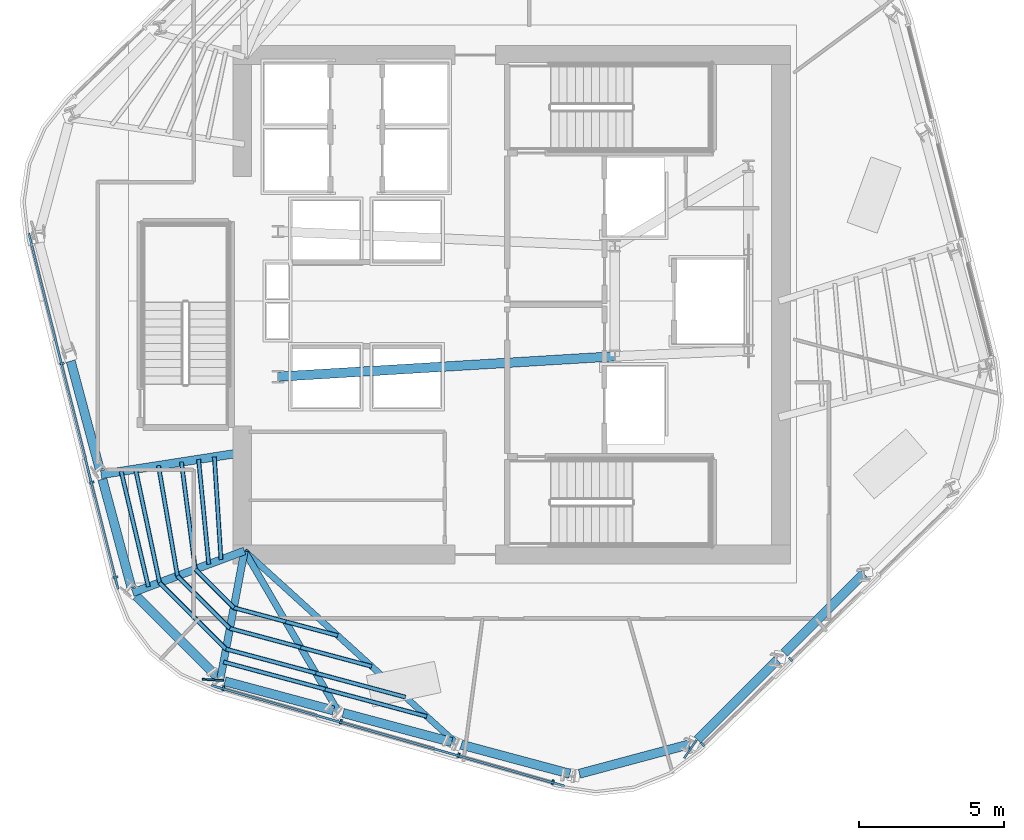
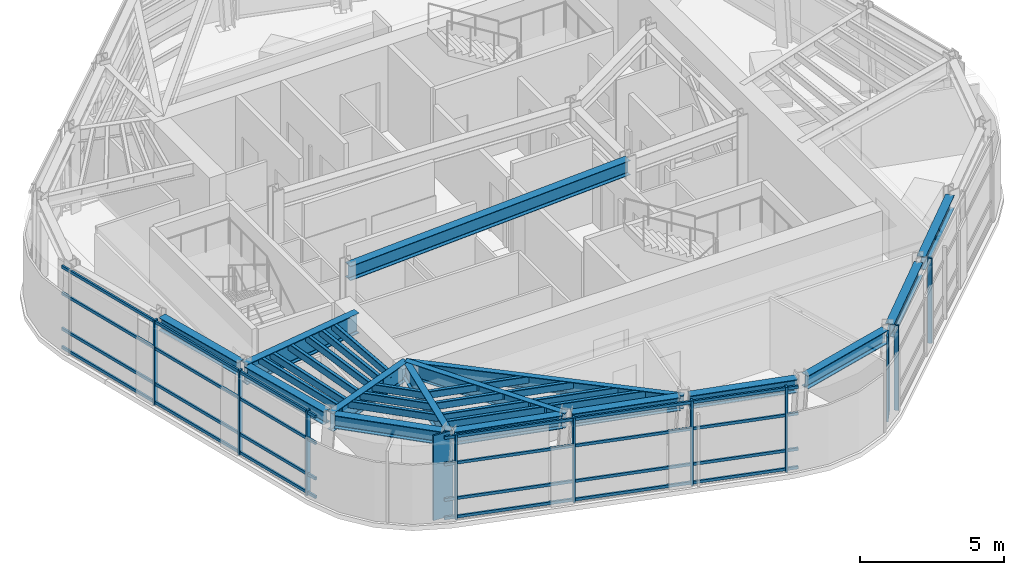
# One storey, part 2 of 14: 36 members, 15 beams, 3 elements without a shape of their own.
"""IFC4 building model written with IfcOpenShell, lengths in metres."""

from ifc_helpers import new_model, si_unit, direction, frame, origin, origin_2d, place, context, subcontext, project, spatial, rectangle, hollow_rectangle, i_section, extrude, material, layer, layer_set, material_profile, profile_set, type_object, element, aggregate, save


model = new_model("IFC4")

# Units and contexts
model_context = context("Model", 3, precision=1e-05, world=origin(), true_north=direction((0.0, 1.0)))
body_context = subcontext(model_context, "Body", "Model", "MODEL_VIEW")
ifc_project = project(units=[si_unit("LENGTHUNIT", "METRE"), si_unit("AREAUNIT", "SQUARE_METRE"), si_unit("VOLUMEUNIT", "CUBIC_METRE"), si_unit("PLANEANGLEUNIT", "RADIAN"), si_unit("MASSUNIT", "GRAM", prefix="KILO")], contexts=[model_context])

# Site, building, storey
site_placement = place(None, origin())
site = spatial("IfcSite", under=ifc_project, at=site_placement, CompositionType="ELEMENT")
building_placement = place(site_placement, origin())
building = spatial("IfcBuilding", under=site, at=building_placement, Name="Valkerne Bourse Tower", CompositionType="ELEMENT")
storey_placement = place(building_placement, frame((0.0, 0.0, 213.199951171875)))
storey = spatial("IfcBuildingStorey", under=building, at=storey_placement, Name="L54", CompositionType="ELEMENT", Elevation=213.199951171875)

# Beams
ifc_material_1 = material(Name="Steel ASTM A992", Category="steel")
ifc_material_profile_1 = material_profile(ifc_material_1, i_section(OverallWidth=0.31494140625, OverallDepth=0.5537109375, WebThickness=0.0166015625, FlangeThickness=0.026123046875, FilletRadius=0.020263671875, at=origin_2d()), Name="W21X132")
ifc_profile_set_1 = profile_set([ifc_material_profile_1], Name="Steel ASTM A992")
beam_type_1 = type_object("IfcBeamType", Name="BM-W21X132", PredefinedType="BEAM", material=ifc_profile_set_1)
beam_1_placement = place(storey_placement, frame((31.6181640625, 24.936279296875, 3.3232421875), z_axis=(0.258777058442, -0.965937075603, 0.0), x_axis=(0.965937075603, 0.258777058442, 0.0)))
element("IfcBeam", 1, at=beam_1_placement, inside=storey, type_object=beam_type_1, Name="L54 Hexagonal Spandrel Ring Beam 09", PredefinedType="BEAM", context=body_context, shape_type="SweptSolid", body=[
    extrude(i_section(OverallWidth=0.31494140625, OverallDepth=0.5537109375, WebThickness=0.0166015625, FlangeThickness=0.026123046875, FilletRadius=0.020263671875, at=origin_2d()), origin(), (0.0, 0.0, 1.0), 3.871826171875),
])
beam_2_placement = place(storey_placement, frame((32.708251953125, 20.867919921875, 3.3232421875), z_axis=(0.258820125859, -0.965925536701, 0.0), x_axis=(0.965925536701, 0.258820125859, 0.0)))
element("IfcBeam", 2, at=beam_2_placement, inside=storey, type_object=beam_type_1, Name="L54 Hexagonal Spandrel Ring Beam 10", PredefinedType="BEAM", context=body_context, shape_type="SweptSolid", body=[
    extrude(i_section(OverallWidth=0.31494140625, OverallDepth=0.5537109375, WebThickness=0.0166015625, FlangeThickness=0.026123046875, FilletRadius=0.020263671875, at=origin_2d()), origin(), (0.0, 0.0, 1.0), 3.8720703125),
])
beam_3_placement = place(storey_placement, frame((33.87451171875, 16.843505859375, 3.3232421875), z_axis=(0.707106781187, -0.707106781187, 0.0), x_axis=(0.707106781187, 0.707106781187, 0.0)))
element("IfcBeam", 3, at=beam_3_placement, inside=storey, type_object=beam_type_1, Name="L54 Hexagonal Spandrel Ring Beam 11", PredefinedType="BEAM", context=body_context, shape_type="SweptSolid", body=[
    extrude(i_section(OverallWidth=0.31494140625, OverallDepth=0.5537109375, WebThickness=0.0166015625, FlangeThickness=0.026123046875, FilletRadius=0.020263671875, at=origin_2d()), origin(), (0.0, 0.0, 1.0), 3.915771484375),
])
beam_4_placement = place(storey_placement, frame((36.927734375, 13.910400390625, 3.3232421875), z_axis=(0.965921312732, -0.258835889338, 0.0), x_axis=(0.258835889338, 0.965921312732, 0.0)))
element("IfcBeam", 4, at=beam_4_placement, inside=storey, type_object=beam_type_1, Name="L54 Hexagonal Spandrel Ring Beam 12", PredefinedType="BEAM", context=body_context, shape_type="SweptSolid", body=[
    extrude(i_section(OverallWidth=0.31494140625, OverallDepth=0.5537109375, WebThickness=0.0166015625, FlangeThickness=0.026123046875, FilletRadius=0.020263671875, at=origin_2d()), origin(), (0.0, 0.0, 1.0), 3.871826171875),
])
beam_5_placement = place(storey_placement, frame((40.99609375, 12.8203125, 3.3232421875), z_axis=(0.965925536701, -0.258820125859, 0.0), x_axis=(0.258820125859, 0.965925536701, 0.0)))
element("IfcBeam", 5, at=beam_5_placement, inside=storey, type_object=beam_type_1, Name="L54 Hexagonal Spandrel Ring Beam 13", PredefinedType="BEAM", context=body_context, shape_type="SweptSolid", body=[
    extrude(i_section(OverallWidth=0.31494140625, OverallDepth=0.5537109375, WebThickness=0.0166015625, FlangeThickness=0.026123046875, FilletRadius=0.020263671875, at=origin_2d()), origin(), (0.0, 0.0, 1.0), 3.8720703125),
])
beam_6_placement = place(storey_placement, frame((45.064697265625, 11.72998046875, 3.3232421875), z_axis=(0.965921312732, -0.258835889338, 0.0), x_axis=(0.258835889338, 0.965921312732, 0.0)))
element("IfcBeam", 6, at=beam_6_placement, inside=storey, type_object=beam_type_1, Name="L54 Hexagonal Spandrel Ring Beam 14", PredefinedType="BEAM", context=body_context, shape_type="SweptSolid", body=[
    extrude(i_section(OverallWidth=0.31494140625, OverallDepth=0.5537109375, WebThickness=0.0166015625, FlangeThickness=0.026123046875, FilletRadius=0.020263671875, at=origin_2d()), origin(), (0.0, 0.0, 1.0), 3.871826171875),
])
beam_7_placement = place(storey_placement, frame((49.13330078125, 10.727783203125, 3.3232421875), z_axis=(0.965907132584, 0.258888800884, 0.0), x_axis=(-0.258888800884, 0.965907132584, 0.0)))
element("IfcBeam", 7, at=beam_7_placement, inside=storey, type_object=beam_type_1, Name="L54 Hexagonal Spandrel Ring Beam 15", PredefinedType="BEAM", context=body_context, shape_type="SweptSolid", body=[
    extrude(i_section(OverallWidth=0.31494140625, OverallDepth=0.5537109375, WebThickness=0.0166015625, FlangeThickness=0.026123046875, FilletRadius=0.020263671875, at=origin_2d()), origin(), (0.0, 0.0, 1.0), 3.91552734375),
])
for number, where, z_axis, x_axis, name in (
    (8, (53.19970703125, 11.905517578125, 3.3232421875), (0.707106781187, 0.707106781187, 0.0), (-0.707106781187, 0.707106781187, 0.0), "L54 Hexagonal Spandrel Ring Beam 16"),
    (9, (56.17822265625, 14.8837890625, 3.3232421875), (0.707075254032, 0.707138306935, 0.0), (-0.707138306935, 0.707075254032, 0.0), "L54 Hexagonal Spandrel Ring Beam 17"),
):
    element("IfcBeam", number, at=place(storey_placement, frame(where, z_axis=z_axis, x_axis=x_axis)), inside=storey, type_object=beam_type_1, Name=name, PredefinedType="BEAM", context=body_context, shape_type="SweptSolid", body=[
        extrude(i_section(OverallWidth=0.31494140625, OverallDepth=0.5537109375, WebThickness=0.0166015625, FlangeThickness=0.026123046875, FilletRadius=0.020263671875, at=origin_2d()), origin(), (0.0, 0.0, 1.0), 3.8720703125),
    ])
ifc_material_profile_2 = material_profile(ifc_material_1, i_section(OverallWidth=0.2138671875, OverallDepth=0.548583984375, WebThickness=0.0146484375, FlangeThickness=0.023681640625, FilletRadius=0.017822265625, at=origin_2d()), Name="W21X93")
ifc_profile_set_2 = profile_set([ifc_material_profile_2], Name="Steel ASTM A992")
beam_type_2 = type_object("IfcBeamType", Name="BM-W21X93", PredefinedType="BEAM", material=ifc_profile_set_2)
beam_8_placement = place(storey_placement, frame((44.900390625, 11.774169921875, 3.32568359375), z_axis=(-0.740490010186, 0.672067366278, 0.0), x_axis=(-0.672067366278, -0.740490010186, 0.0)))
element("IfcBeam", 10, at=beam_8_placement, inside=storey, type_object=beam_type_2, Name="L54 Radial Composite Floor Beam 14", PredefinedType="BEAM", context=body_context, shape_type="SweptSolid", body=[
    extrude(i_section(OverallWidth=0.2138671875, OverallDepth=0.548583984375, WebThickness=0.0146484375, FlangeThickness=0.023681640625, FilletRadius=0.017822265625, at=origin_2d()), origin(), (0.0, 0.0, 1.0), 9.858642578125),
])
ifc_material_profile_3 = material_profile(ifc_material_1, i_section(OverallWidth=0.3251953125, OverallDepth=0.612060546875, WebThickness=0.0126953125, FlangeThickness=0.01904296875, FilletRadius=0.020263671875, at=origin_2d()), Name="W24X104")
ifc_profile_set_3 = profile_set([ifc_material_profile_3], Name="Steel ASTM A992")
beam_type_3 = type_object("IfcBeamType", Name="BM-W24X104", PredefinedType="BEAM", material=ifc_profile_set_3)
beam_9_placement = place(storey_placement, frame((38.75, 24.39990234375, 3.2939453125), z_axis=(0.998183228389, 0.060251494276, 0.0), x_axis=(-0.060251494276, 0.998183228389, 0.0)))
element("IfcBeam", 11, at=beam_9_placement, inside=storey, type_object=beam_type_3, Name="L54 Core Frame Girder CG-SW", PredefinedType="BEAM", context=body_context, shape_type="SweptSolid", body=[
    extrude(i_section(OverallWidth=0.3251953125, OverallDepth=0.612060546875, WebThickness=0.0126953125, FlangeThickness=0.01904296875, FilletRadius=0.020263671875, at=origin_2d()), origin(), (0.0, 0.0, 1.0), 11.62109375),
])
ifc_material_profile_4 = material_profile(ifc_material_1, i_section(OverallWidth=0.228271484375, OverallDepth=0.607177734375, WebThickness=0.01123046875, FlangeThickness=0.017333984375, FilletRadius=0.017822265625, at=origin_2d()), Name="W24X76")
ifc_profile_set_4 = profile_set([ifc_material_profile_4], Name="Steel ASTM A992")
beam_type_4 = type_object("IfcBeamType", Name="BM-W24X76", PredefinedType="JOIST", material=ifc_profile_set_4)
beam_10_placement = place(storey_placement, frame((40.83203125, 12.8642578125, 3.296630859375), z_axis=(-0.504197789113, 0.863588205949, 0.0), x_axis=(-0.863588205949, -0.504197789113, 0.0)))
element("IfcBeam", 12, at=beam_10_placement, inside=storey, type_object=beam_type_4, Name="L54 Radial Composite Floor Beam 13", PredefinedType="JOIST", context=body_context, shape_type="SweptSolid", body=[
    extrude(i_section(OverallWidth=0.228271484375, OverallDepth=0.607177734375, WebThickness=0.01123046875, FlangeThickness=0.017333984375, FilletRadius=0.017822265625, at=origin_2d()), origin(), (0.0, 0.0, 1.0), 6.41015625),
])
ifc_material_profile_5 = material_profile(ifc_material_1, i_section(OverallWidth=0.255859375, OverallDepth=0.693359375, WebThickness=0.014404296875, FlangeThickness=0.023681640625, FilletRadius=0.02294921875, at=origin_2d()), Name="W27X114")
ifc_profile_set_5 = profile_set([ifc_material_profile_5], Name="Steel ASTM A992")
beam_type_5 = type_object("IfcBeamType", Name="BM-W27X114", PredefinedType="BEAM", material=ifc_profile_set_5)
beam_11_placement = place(storey_placement, frame((36.763671875, 13.954345703125, 3.25341796875), z_axis=(0.184904378371, 0.982756516569, 0.0), x_axis=(-0.982756516569, 0.184904378371, 0.0)))
element("IfcBeam", 13, at=beam_11_placement, inside=storey, type_object=beam_type_5, Name="L54 Radial Composite Floor Beam 12", PredefinedType="BEAM", context=body_context, shape_type="SweptSolid", body=[
    extrude(i_section(OverallWidth=0.255859375, OverallDepth=0.693359375, WebThickness=0.014404296875, FlangeThickness=0.023681640625, FilletRadius=0.02294921875, at=origin_2d()), origin(), (0.0, 0.0, 1.0), 4.5234375),
])
ifc_material_profile_6 = material_profile(ifc_material_1, i_section(OverallWidth=0.26806640625, OverallDepth=0.76953125, WebThickness=0.015625, FlangeThickness=0.025390625, FilletRadius=0.025390625, at=origin_2d()), Name="W30X132")
ifc_profile_set_6 = profile_set([ifc_material_profile_6], Name="Steel ASTM A992")
beam_type_6 = type_object("IfcBeamType", Name="BM-W30X132", PredefinedType="BEAM", material=ifc_profile_set_6)
beam_12_placement = place(storey_placement, frame((33.75439453125, 16.963623046875, 3.21533203125), z_axis=(0.936797597234, 0.349871779109, 0.0), x_axis=(-0.349871779109, 0.936797597234, 0.0)))
element("IfcBeam", 14, at=beam_12_placement, inside=storey, type_object=beam_type_6, Name="L54 Radial Composite Floor Beam 11", PredefinedType="BEAM", context=body_context, shape_type="SweptSolid", body=[
    extrude(i_section(OverallWidth=0.26806640625, OverallDepth=0.76953125, WebThickness=0.015625, FlangeThickness=0.025390625, FilletRadius=0.025390625, at=origin_2d()), origin(), (0.0, 0.0, 1.0), 4.105224609375),
])
ifc_material_profile_7 = material_profile(ifc_material_1, i_section(OverallWidth=0.2919921875, OverallDepth=0.8583984375, WebThickness=0.01708984375, FlangeThickness=0.031005859375, FilletRadius=0.025390625, at=origin_2d()), Name="W33X169")
ifc_profile_set_7 = profile_set([ifc_material_profile_7], Name="Steel ASTM A992")
beam_type_7 = type_object("IfcBeamType", Name="BM-W33X169", PredefinedType="BEAM", material=ifc_profile_set_7)
beam_13_placement = place(storey_placement, frame((32.664306640625, 21.031982421875, 3.1708984375), z_axis=(0.988108054546, 0.153761089163, 0.0), x_axis=(-0.153761089163, 0.988108054546, 0.0)))
element("IfcBeam", 15, at=beam_13_placement, inside=storey, type_object=beam_type_7, Name="L54 Radial Composite Floor Beam 10", PredefinedType="BEAM", context=body_context, shape_type="SweptSolid", body=[
    extrude(i_section(OverallWidth=0.2919921875, OverallDepth=0.8583984375, WebThickness=0.01708984375, FlangeThickness=0.031005859375, FilletRadius=0.025390625, at=origin_2d()), origin(), (0.0, 0.0, 1.0), 4.9951171875),
])

# Curtain wall, members
ifc_material_2 = material(Name="Aluminium AA 6063-T6", Category="aluminium")
ifc_layer = layer(ifc_material_2, 0.239990234375)
ifc_layer_set = layer_set([ifc_layer], Name="Aluminium AA 6063-T6")
curtain_wall_type = type_object("IfcCurtainWallType", Name="CW-04", PredefinedType="NOTDEFINED", material=ifc_layer_set)
curtain_wall_1_placement = place(storey_placement, origin())
curtain_wall_1 = element("IfcCurtainWall", 16, at=curtain_wall_1_placement, inside=storey, type_object=curtain_wall_type, Name="L54 Hexagonal Stick Curtain Wall Face 3", PredefinedType="NOTDEFINED")
ifc_material_profile_8 = material_profile(ifc_material_2, rectangle(XDim=0.074951171875, YDim=0.159912109375, at=origin_2d()), Name="CWM-75X160")
ifc_profile_set_8 = profile_set([ifc_material_profile_8], Name="Aluminium AA 6063-T6")
member_type_1 = type_object("IfcMemberType", Name="CW-MUL-160X75", PredefinedType="MULLION", material=ifc_profile_set_8)
member_1_placement = place(storey_placement, frame((31.318603515625, 24.849609375, 0.0), z_axis=(0.0, 0.0, 1.0), x_axis=(0.243613627949, -0.96987236288, 0.0)))
member_1 = element("IfcMember", 17, at=member_1_placement, type_object=member_type_1, Name="CW-L54-F3 Jamb Mullion 01A", PredefinedType="MULLION", context=body_context, shape_type="SweptSolid", body=[
    extrude(rectangle(XDim=0.074951171875, YDim=0.159912109375, at=origin_2d()), origin(), (0.0, 0.0, 1.0), 3.60009765625),
])
member_2_placement = place(storey_placement, frame((32.3447265625, 20.7646484375, 0.0), z_axis=(0.0, 0.0, 1.0), x_axis=(0.243613627949, -0.96987236288, 0.0)))
member_2 = element("IfcMember", 18, at=member_2_placement, type_object=member_type_1, Name="CW-L54-F3 Jamb Mullion 02A", PredefinedType="MULLION", context=body_context, shape_type="SweptSolid", body=[
    extrude(rectangle(XDim=0.074951171875, YDim=0.159912109375, at=origin_2d()), origin(), (0.0, 0.0, 1.0), 3.60009765625),
])
member_3_placement = place(storey_placement, frame((33.166259765625, 17.494140625, 0.0), z_axis=(0.0, 0.0, 1.0), x_axis=(0.243613627949, -0.96987236288, 0.0)))
member_3 = element("IfcMember", 19, at=member_3_placement, type_object=member_type_1, Name="CW-L54-F3 Jamb Mullion 02B", PredefinedType="MULLION", context=body_context, shape_type="SweptSolid", body=[
    extrude(rectangle(XDim=0.074951171875, YDim=0.159912109375, at=origin_2d()), origin(), (0.0, 0.0, 1.0), 3.60009765625),
])

curtain_wall_2_placement = place(storey_placement, origin())
curtain_wall_2 = element("IfcCurtainWall", 20, at=curtain_wall_2_placement, inside=storey, type_object=curtain_wall_type, Name="L54 Hexagonal Stick Curtain Wall Face 4", PredefinedType="NOTDEFINED")
member_4_placement = place(storey_placement, frame((36.87060546875, 13.67138671875, 0.0), z_axis=(0.0, 0.0, 1.0), x_axis=(0.961741355471, -0.273959057484, 0.0)))
member_4 = element("IfcMember", 21, at=member_4_placement, type_object=member_type_1, Name="CW-L54-F4 Jamb Mullion 00A", PredefinedType="MULLION", context=body_context, shape_type="SweptSolid", body=[
    extrude(rectangle(XDim=0.074951171875, YDim=0.159912109375, at=origin_2d()), origin(), (0.0, 0.0, 1.0), 3.60009765625),
])
member_5_placement = place(storey_placement, frame((40.92138671875, 12.517578125, 0.0), z_axis=(0.0, 0.0, 1.0), x_axis=(0.961743137329, -0.27395280214, 0.0)))
member_5 = element("IfcMember", 22, at=member_5_placement, type_object=member_type_1, Name="CW-L54-F4 Jamb Mullion 01A", PredefinedType="MULLION", context=body_context, shape_type="SweptSolid", body=[
    extrude(rectangle(XDim=0.074951171875, YDim=0.159912109375, at=origin_2d()), origin(), (0.0, 0.0, 1.0), 3.60009765625),
])
member_6_placement = place(storey_placement, frame((44.972412109375, 11.36376953125, 0.0), z_axis=(0.0, 0.0, 1.0), x_axis=(0.961741355471, -0.273959057484, 0.0)))
member_6 = element("IfcMember", 23, at=member_6_placement, type_object=member_type_1, Name="CW-L54-F4 Jamb Mullion 02A", PredefinedType="MULLION", context=body_context, shape_type="SweptSolid", body=[
    extrude(rectangle(XDim=0.074951171875, YDim=0.159912109375, at=origin_2d()), origin(), (0.0, 0.0, 1.0), 3.60009765625),
])
member_7_placement = place(storey_placement, frame((48.21533203125, 10.43994140625, 0.0), z_axis=(0.0, 0.0, 1.0), x_axis=(0.961741355471, -0.273959057484, 0.0)))
member_7 = element("IfcMember", 24, at=member_7_placement, type_object=member_type_1, Name="CW-L54-F4 Jamb Mullion 02B", PredefinedType="MULLION", context=body_context, shape_type="SweptSolid", body=[
    extrude(rectangle(XDim=0.074951171875, YDim=0.159912109375, at=origin_2d()), origin(), (0.0, 0.0, 1.0), 3.60009765625),
])

curtain_wall_3_placement = place(storey_placement, origin())
curtain_wall_3 = element("IfcCurtainWall", 25, at=curtain_wall_3_placement, inside=storey, type_object=curtain_wall_type, Name="L54 Hexagonal Stick Curtain Wall Face 5", PredefinedType="NOTDEFINED")
member_8_placement = place(storey_placement, frame((53.378173828125, 11.73681640625, 0.0), z_axis=(0.0, 0.0, 1.0), x_axis=(0.718118967108, 0.695920361161, 0.0)))
member_8 = element("IfcMember", 26, at=member_8_placement, type_object=member_type_1, Name="CW-L54-F5 Jamb Mullion 00A", PredefinedType="MULLION", context=body_context, shape_type="SweptSolid", body=[
    extrude(rectangle(XDim=0.074951171875, YDim=0.159912109375, at=origin_2d()), origin(), (0.0, 0.0, 1.0), 3.60009765625),
])
member_9_placement = place(storey_placement, frame((56.40283203125, 14.66796875, 0.0), z_axis=(0.0, 0.0, 1.0), x_axis=(0.718130465105, 0.695908496203, 0.0)))
member_9 = element("IfcMember", 27, at=member_9_placement, type_object=member_type_1, Name="CW-L54-F5 Jamb Mullion 01A", PredefinedType="MULLION", context=body_context, shape_type="SweptSolid", body=[
    extrude(rectangle(XDim=0.074951171875, YDim=0.159912109375, at=origin_2d()), origin(), (0.0, 0.0, 1.0), 3.60009765625),
])
aggregate(curtain_wall_3, [member_8, member_9])

# Member
ifc_material_profile_9 = material_profile(ifc_material_2, rectangle(XDim=0.074951171875, YDim=0.1201171875, at=origin_2d()), Name="CWT-75X120")
ifc_profile_set_9 = profile_set([ifc_material_profile_9], Name="Aluminium AA 6063-T6")
member_type_2 = type_object("IfcMemberType", Name="CW-TRN-120X75", PredefinedType="USERDEFINED", material=ifc_profile_set_9)
member_10_placement = place(storey_placement, frame((30.1708984375, 29.33740234375, 0.1201171875), z_axis=(0.243599271206, -0.969875968909, 0.0), x_axis=(0.969875968909, 0.243599271206, 0.0)))
member_10 = element("IfcMember", 28, at=member_10_placement, type_object=member_type_2, Name="CW-L54-F3 Continuous Face Transom 1", ObjectType="TRANSOM", PredefinedType="USERDEFINED", context=body_context, shape_type="SweptSolid", body=[
    extrude(rectangle(XDim=0.074951171875, YDim=0.1201171875, at=origin_2d()), origin(), (0.0, 0.0, 1.0), 12.635986328125),
])

member_11_placement = place(storey_placement, frame((30.1708984375, 29.33740234375, 0.900146484375), z_axis=(0.243599271206, -0.969875968909, 0.0), x_axis=(0.969875968909, 0.243599271206, 0.0)))
member_11 = element("IfcMember", 29, at=member_11_placement, type_object=member_type_2, Name="CW-L54-F3 Continuous Face Transom 2", ObjectType="TRANSOM", PredefinedType="USERDEFINED", context=body_context, shape_type="SweptSolid", body=[
    extrude(rectangle(XDim=0.074951171875, YDim=0.1201171875, at=origin_2d()), origin(), (0.0, 0.0, 1.0), 12.635986328125),
])

member_12_placement = place(storey_placement, frame((30.1708984375, 29.33740234375, 2.400146484375), z_axis=(0.243599271206, -0.969875968909, 0.0), x_axis=(0.969875968909, 0.243599271206, 0.0)))
member_12 = element("IfcMember", 30, at=member_12_placement, type_object=member_type_2, Name="CW-L54-F3 Continuous Face Transom 3", ObjectType="TRANSOM", PredefinedType="USERDEFINED", context=body_context, shape_type="SweptSolid", body=[
    extrude(rectangle(XDim=0.074951171875, YDim=0.1201171875, at=origin_2d()), origin(), (0.0, 0.0, 1.0), 12.635986328125),
])

member_13_placement = place(storey_placement, frame((30.1708984375, 29.33740234375, 3.52001953125), z_axis=(0.243599271206, -0.969875968909, 0.0), x_axis=(0.969875968909, 0.243599271206, 0.0)))
member_13 = element("IfcMember", 31, at=member_13_placement, type_object=member_type_2, Name="CW-L54-F3 Continuous Face Transom 4", ObjectType="TRANSOM", PredefinedType="USERDEFINED", context=body_context, shape_type="SweptSolid", body=[
    extrude(rectangle(XDim=0.074951171875, YDim=0.1201171875, at=origin_2d()), origin(), (0.0, 0.0, 1.0), 12.635986328125),
])

aggregate(curtain_wall_1, [member_10, member_11, member_12, member_13, member_1, member_2, member_3])

member_14_placement = place(storey_placement, frame((36.461181640625, 13.767333984375, 0.1201171875), z_axis=(0.961743098626, -0.273952938012, 0.0), x_axis=(0.273952938012, 0.961743098626, 0.0)))
member_14 = element("IfcMember", 32, at=member_14_placement, type_object=member_type_2, Name="CW-L54-F4 Continuous Face Transom 1", ObjectType="TRANSOM", PredefinedType="USERDEFINED", context=body_context, shape_type="SweptSolid", body=[
    extrude(rectangle(XDim=0.074951171875, YDim=0.1201171875, at=origin_2d()), origin(), (0.0, 0.0, 1.0), 12.635986328125),
])

member_15_placement = place(storey_placement, frame((36.461181640625, 13.767333984375, 0.900146484375), z_axis=(0.961743098626, -0.273952938012, 0.0), x_axis=(0.273952938012, 0.961743098626, 0.0)))
member_15 = element("IfcMember", 33, at=member_15_placement, type_object=member_type_2, Name="CW-L54-F4 Continuous Face Transom 2", ObjectType="TRANSOM", PredefinedType="USERDEFINED", context=body_context, shape_type="SweptSolid", body=[
    extrude(rectangle(XDim=0.074951171875, YDim=0.1201171875, at=origin_2d()), origin(), (0.0, 0.0, 1.0), 12.635986328125),
])

member_16_placement = place(storey_placement, frame((36.461181640625, 13.767333984375, 2.400146484375), z_axis=(0.961743098626, -0.273952938012, 0.0), x_axis=(0.273952938012, 0.961743098626, 0.0)))
member_16 = element("IfcMember", 34, at=member_16_placement, type_object=member_type_2, Name="CW-L54-F4 Continuous Face Transom 3", ObjectType="TRANSOM", PredefinedType="USERDEFINED", context=body_context, shape_type="SweptSolid", body=[
    extrude(rectangle(XDim=0.074951171875, YDim=0.1201171875, at=origin_2d()), origin(), (0.0, 0.0, 1.0), 12.635986328125),
])

member_17_placement = place(storey_placement, frame((36.461181640625, 13.767333984375, 3.52001953125), z_axis=(0.961743098626, -0.273952938012, 0.0), x_axis=(0.273952938012, 0.961743098626, 0.0)))
member_17 = element("IfcMember", 35, at=member_17_placement, type_object=member_type_2, Name="CW-L54-F4 Continuous Face Transom 4", ObjectType="TRANSOM", PredefinedType="USERDEFINED", context=body_context, shape_type="SweptSolid", body=[
    extrude(rectangle(XDim=0.074951171875, YDim=0.1201171875, at=origin_2d()), origin(), (0.0, 0.0, 1.0), 12.635986328125),
])

aggregate(curtain_wall_2, [member_14, member_15, member_16, member_17, member_4, member_5, member_6, member_7])

# Members
ifc_material_3 = material(Name="Bronze Anodised Aluminium AA 6063-T6", Category="aluminium")
ifc_material_profile_10 = material_profile(ifc_material_3, rectangle(XDim=0.06494140625, YDim=0.75, at=origin_2d()), Name="FIN-65X750")
ifc_profile_set_10 = profile_set([ifc_material_profile_10], Name="Bronze Anodised Aluminium AA 6063-T6")
member_type_3 = type_object("IfcMemberType", Name="FIN-SOLAR-650", PredefinedType="USERDEFINED", material=ifc_profile_set_10)
for number, where, z_axis, x_axis, name in (
    (36, (36.51611328125, 13.959716796875, 0.004150390625), (0.0, 0.0, 1.0), (-0.055845434608, -0.998439426021, 0.0), "L54 Bronze Anodised Solar Fin F4-00"),
    (37, (52.951171875, 11.57373046875, 0.004150390625), (0.0, 0.0, 1.0), (0.824665717021, -0.565620416154, 0.0), "L54 Bronze Anodised Solar Fin F5-00"),
):
    element("IfcMember", number, at=place(storey_placement, frame(where, z_axis=z_axis, x_axis=x_axis)), inside=storey, type_object=member_type_3, Name=name, ObjectType="SOLAR_FIN", PredefinedType="USERDEFINED", context=body_context, shape_type="SweptSolid", body=[
        extrude(rectangle(XDim=0.06494140625, YDim=0.75, at=origin_2d()), origin(), (0.0, 0.0, 1.0), 3.591796875),
    ])
ifc_material_4 = material(Name="Steel ASTM A500 Grade C", Category="steel")
ifc_material_profile_11 = material_profile(ifc_material_4, hollow_rectangle(XDim=0.14990234375, YDim=0.300048828125, WallThickness=0.012451171875, OuterFilletRadius=0.02490234375, at=origin_2d()), Name="HSS300X150X12.5")
ifc_profile_set_11 = profile_set([ifc_material_profile_11], Name="Steel ASTM A500 Grade C")
member_type_4 = type_object("IfcMemberType", Name="MBR-HSS300X150X12.5", PredefinedType="PURLIN", material=ifc_profile_set_11)
member_18_placement = place(storey_placement, frame((36.0205078125, 21.55419921875, 3.43994140625), z_axis=(0.096094239405, -0.995372240498, 0.0), x_axis=(0.995372240498, 0.096094239405, 0.0)))
element("IfcMember", 38, at=member_18_placement, inside=storey, type_object=member_type_4, Name="L54 Secondary Composite Floor Purlin I-10", PredefinedType="PURLIN", context=body_context, shape_type="SweptSolid", body=[
    extrude(hollow_rectangle(XDim=0.14990234375, YDim=0.300048828125, WallThickness=0.012451171875, OuterFilletRadius=0.02490234375, at=origin_2d()), origin(), (0.0, 0.0, 1.0), 3.630615234375),
])
member_19_placement = place(storey_placement, frame((35.42822265625, 21.462158203125, 3.43994140625), z_axis=(0.128784395777, -0.991672617049, 0.0), x_axis=(0.991672617049, 0.128784395777, 0.0)))
element("IfcMember", 39, at=member_19_placement, inside=storey, type_object=member_type_4, Name="L54 Secondary Composite Floor Purlin K-10", PredefinedType="PURLIN", context=body_context, shape_type="SweptSolid", body=[
    extrude(hollow_rectangle(XDim=0.14990234375, YDim=0.300048828125, WallThickness=0.012451171875, OuterFilletRadius=0.02490234375, at=origin_2d()), origin(), (0.0, 0.0, 1.0), 3.72509765625),
])
member_20_placement = place(storey_placement, frame((35.907958984375, 17.76806640625, 3.43994140625), z_axis=(0.707041589025, -0.707171967338, 0.0), x_axis=(0.707171967338, 0.707041589025, 0.0)))
element("IfcMember", 40, at=member_20_placement, inside=storey, type_object=member_type_4, Name="L54 Secondary Composite Floor Purlin K-11", PredefinedType="PURLIN", context=body_context, shape_type="SweptSolid", body=[
    extrude(hollow_rectangle(XDim=0.14990234375, YDim=0.300048828125, WallThickness=0.012451171875, OuterFilletRadius=0.02490234375, at=origin_2d()), origin(), (0.0, 0.0, 1.0), 1.87255859375),
])
member_21_placement = place(storey_placement, frame((37.23193359375, 16.44384765625, 3.43994140625), z_axis=(0.965921592205, -0.258834846404, 0.0), x_axis=(0.258834846404, 0.965921592205, 0.0)))
element("IfcMember", 41, at=member_21_placement, inside=storey, type_object=member_type_4, Name="L54 Secondary Composite Floor Purlin K-12", PredefinedType="PURLIN", context=body_context, shape_type="SweptSolid", body=[
    extrude(hollow_rectangle(XDim=0.14990234375, YDim=0.300048828125, WallThickness=0.012451171875, OuterFilletRadius=0.02490234375, at=origin_2d()), origin(), (0.0, 0.0, 1.0), 1.853515625),
])
member_22_placement = place(storey_placement, frame((39.022216796875, 15.964111328125, 3.43994140625), z_axis=(0.965945699595, -0.258744865522, 0.0), x_axis=(0.258744865522, 0.965945699595, 0.0)))
element("IfcMember", 42, at=member_22_placement, inside=storey, type_object=member_type_4, Name="L54 Secondary Composite Floor Purlin K-13", PredefinedType="PURLIN", context=body_context, shape_type="SweptSolid", body=[
    extrude(hollow_rectangle(XDim=0.14990234375, YDim=0.300048828125, WallThickness=0.012451171875, OuterFilletRadius=0.02490234375, at=origin_2d()), origin(), (0.0, 0.0, 1.0), 1.85302734375),
])
member_23_placement = place(storey_placement, frame((33.848876953125, 21.21630859375, 3.43994140625), z_axis=(0.207362428492, -0.978264188882, 0.0), x_axis=(0.978264188882, 0.207362428492, 0.0)))
element("IfcMember", 43, at=member_23_placement, inside=storey, type_object=member_type_4, Name="L54 Secondary Composite Floor Purlin O-10", PredefinedType="PURLIN", context=body_context, shape_type="SweptSolid", body=[
    extrude(hollow_rectangle(XDim=0.14990234375, YDim=0.300048828125, WallThickness=0.012451171875, OuterFilletRadius=0.02490234375, at=origin_2d()), origin(), (0.0, 0.0, 1.0), 3.994873046875),
])
member_24_placement = place(storey_placement, frame((34.67724609375, 17.308349609375, 3.43994140625), z_axis=(0.707106781187, -0.707106781187, 0.0), x_axis=(0.707106781187, 0.707106781187, 0.0)))
element("IfcMember", 44, at=member_24_placement, inside=storey, type_object=member_type_4, Name="L54 Secondary Composite Floor Purlin O-11", PredefinedType="PURLIN", context=body_context, shape_type="SweptSolid", body=[
    extrude(hollow_rectangle(XDim=0.14990234375, YDim=0.300048828125, WallThickness=0.012451171875, OuterFilletRadius=0.02490234375, at=origin_2d()), origin(), (0.0, 0.0, 1.0), 3.234375),
])
for number, where, z_axis, x_axis, name in (
    (45, (36.96435546875, 15.021240234375, 3.43994140625), (0.965936817995, -0.258778020012, 0.0), (0.258778020012, 0.965936817995, 0.0), "L54 Secondary Composite Floor Purlin O-12"),
    (46, (40.056396484375, 14.19287109375, 3.43994140625), (0.965917751504, -0.258849178729, 0.0), (0.258849178729, 0.965917751504, 0.0), "L54 Secondary Composite Floor Purlin O-13"),
):
    element("IfcMember", number, at=place(storey_placement, frame(where, z_axis=z_axis, x_axis=x_axis)), inside=storey, type_object=member_type_4, Name=name, PredefinedType="PURLIN", context=body_context, shape_type="SweptSolid", body=[
        extrude(hollow_rectangle(XDim=0.14990234375, YDim=0.300048828125, WallThickness=0.012451171875, OuterFilletRadius=0.02490234375, at=origin_2d()), origin(), (0.0, 0.0, 1.0), 3.201171875),
    ])
member_25_placement = place(storey_placement, frame((34.638427734375, 21.339111328125, 3.43994140625), z_axis=(0.169580466757, -0.985516344509, 0.0), x_axis=(0.985516344509, 0.169580466757, 0.0)))
element("IfcMember", 47, at=member_25_placement, inside=storey, type_object=member_type_4, Name="L54 Secondary Composite Floor Purlin Z-10", PredefinedType="PURLIN", context=body_context, shape_type="SweptSolid", body=[
    extrude(hollow_rectangle(XDim=0.14990234375, YDim=0.300048828125, WallThickness=0.012451171875, OuterFilletRadius=0.02490234375, at=origin_2d()), origin(), (0.0, 0.0, 1.0), 3.85693359375),
])
member_26_placement = place(storey_placement, frame((35.29248046875, 17.5380859375, 3.43994140625), z_axis=(0.707154586127, -0.707058973014, 0.0), x_axis=(0.707058973014, 0.707154586127, 0.0)))
element("IfcMember", 48, at=member_26_placement, inside=storey, type_object=member_type_4, Name="L54 Secondary Composite Floor Purlin Z-11", PredefinedType="PURLIN", context=body_context, shape_type="SweptSolid", body=[
    extrude(hollow_rectangle(XDim=0.14990234375, YDim=0.300048828125, WallThickness=0.012451171875, OuterFilletRadius=0.02490234375, at=origin_2d()), origin(), (0.0, 0.0, 1.0), 2.553466796875),
])
member_27_placement = place(storey_placement, frame((37.09814453125, 15.732666015625, 3.43994140625), z_axis=(0.965931235233, -0.258798857805, 0.0), x_axis=(0.258798857805, 0.965931235233, 0.0)))
element("IfcMember", 49, at=member_27_placement, inside=storey, type_object=member_type_4, Name="L54 Secondary Composite Floor Purlin Z-12", PredefinedType="PURLIN", context=body_context, shape_type="SweptSolid", body=[
    extrude(hollow_rectangle(XDim=0.14990234375, YDim=0.300048828125, WallThickness=0.012451171875, OuterFilletRadius=0.02490234375, at=origin_2d()), origin(), (0.0, 0.0, 1.0), 2.52734375),
])
member_28_placement = place(storey_placement, frame((39.539306640625, 15.07861328125, 3.43994140625), z_axis=(0.965924764177, -0.258823008925, 0.0), x_axis=(0.258823008925, 0.965924764177, 0.0)))
element("IfcMember", 50, at=member_28_placement, inside=storey, type_object=member_type_4, Name="L54 Secondary Composite Floor Purlin Z-13", PredefinedType="PURLIN", context=body_context, shape_type="SweptSolid", body=[
    extrude(hollow_rectangle(XDim=0.14990234375, YDim=0.300048828125, WallThickness=0.012451171875, OuterFilletRadius=0.02490234375, at=origin_2d()), origin(), (0.0, 0.0, 1.0), 2.527099609375),
])
member_29_placement = place(storey_placement, frame((36.5634765625, 21.638671875, 3.43994140625), z_axis=(0.064550290259, -0.997914455265, 0.0), x_axis=(0.997914455265, 0.064550290259, 0.0)))
element("IfcMember", 51, at=member_29_placement, inside=storey, type_object=member_type_4, Name="L54 Secondary Composite Floor Purlin S-10", PredefinedType="PURLIN", context=body_context, shape_type="SweptSolid", body=[
    extrude(hollow_rectangle(XDim=0.14990234375, YDim=0.300048828125, WallThickness=0.012451171875, OuterFilletRadius=0.02490234375, at=origin_2d()), origin(), (0.0, 0.0, 1.0), 3.547607421875),
])
member_30_placement = place(storey_placement, frame((33.355224609375, 21.139404296875, 3.43994140625), z_axis=(0.229572459453, -0.973291572891, 0.0), x_axis=(0.973291572891, 0.229572459453, 0.0)))
element("IfcMember", 52, at=member_30_placement, inside=storey, type_object=member_type_4, Name="L54 Secondary Composite Floor Purlin T-10", PredefinedType="PURLIN", context=body_context, shape_type="SweptSolid", body=[
    extrude(hollow_rectangle(XDim=0.14990234375, YDim=0.300048828125, WallThickness=0.012451171875, OuterFilletRadius=0.02490234375, at=origin_2d()), origin(), (0.0, 0.0, 1.0), 4.083740234375),
])
member_31_placement = place(storey_placement, frame((36.880615234375, 14.576904296875, 3.43994140625), z_axis=(0.965908635095, -0.25888319499, 0.0), x_axis=(0.25888319499, 0.965908635095, 0.0)))
element("IfcMember", 53, at=member_31_placement, inside=storey, type_object=member_type_4, Name="L54 Secondary Composite Floor Purlin T-12", PredefinedType="PURLIN", context=body_context, shape_type="SweptSolid", body=[
    extrude(hollow_rectangle(XDim=0.14990234375, YDim=0.300048828125, WallThickness=0.012451171875, OuterFilletRadius=0.02490234375, at=origin_2d()), origin(), (0.0, 0.0, 1.0), 3.622314453125),
])
member_32_placement = place(storey_placement, frame((40.37939453125, 13.63916015625, 3.43994140625), z_axis=(0.965930001828, -0.258803461277, 0.0), x_axis=(0.258803461277, 0.965930001828, 0.0)))
element("IfcMember", 54, at=member_32_placement, inside=storey, type_object=member_type_4, Name="L54 Secondary Composite Floor Purlin T-13", PredefinedType="PURLIN", context=body_context, shape_type="SweptSolid", body=[
    extrude(hollow_rectangle(XDim=0.14990234375, YDim=0.300048828125, WallThickness=0.012451171875, OuterFilletRadius=0.02490234375, at=origin_2d()), origin(), (0.0, 0.0, 1.0), 3.62255859375),
])

save(model, "model.ifc")
